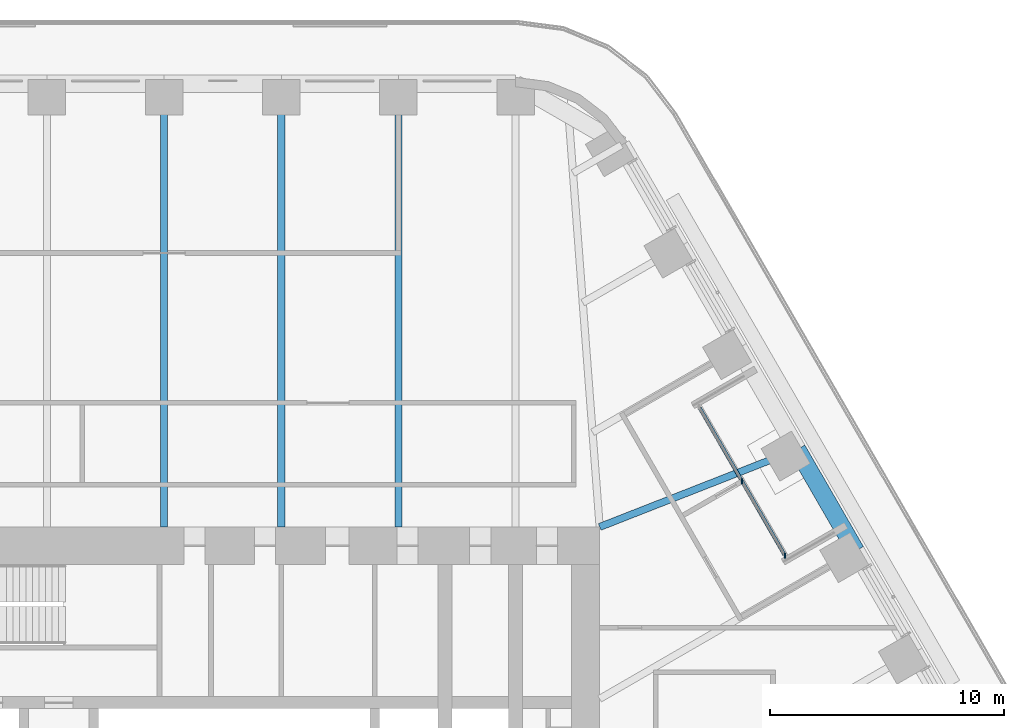
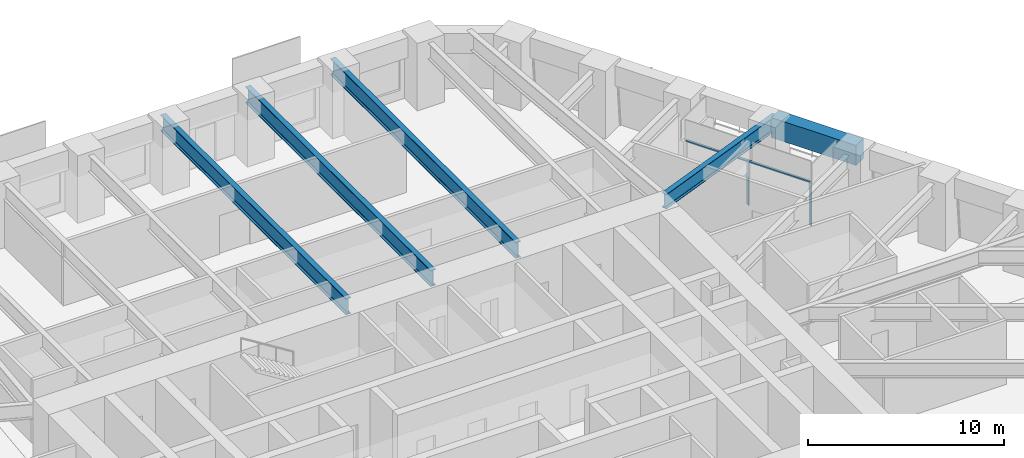
# One storey, part 11 of 24: 5 beams, 3 members, 1 element without a shape of its own.
"""IFC4 building model written with IfcOpenShell, lengths in metres."""

import ifcopenshell
import ifcopenshell.guid

model = None  # the IFC model being written
_history = None  # IfcOwnerHistory: only IFC2X3 demands one
_inside = {}  # id of a spatial element -> (the spatial element, [elements in it])
_under = {}  # id of a project, library or spatial element -> (it, [spatial elements below it])
_declared = {}  # id of a project -> (the project, [libraries it declares])
_typed = {}  # id of a type object -> (the type object, [elements of that type])
_made_of = {}  # id of a material, layer set ... -> (it, [elements and type objects made of it])


def new_model(schema):
    """Start an empty IFC model of exactly this schema.

    Asked for "IFC4X3", IfcOpenShell would pick the latest addendum, in which some entities
    have other attributes; the version numbers below select the first issue.
    IFC2X3 requires an IfcOwnerHistory on every rooted entity: one is made here for all.
    """
    global model, _history
    if schema == "IFC4X3":
        model = ifcopenshell.file(schema_version=(4, 3, 0, 0))
    else:
        model = ifcopenshell.file(schema=schema)
    _inside.clear()
    _under.clear()
    _declared.clear()
    _typed.clear()
    _made_of.clear()
    _history = None
    if model.schema == "IFC2X3":
        org = make("IfcOrganization", Name="unknown")
        user = make(
            "IfcPersonAndOrganization",
            ThePerson=make("IfcPerson", FamilyName="unknown"),
            TheOrganization=org,
        )
        app = make(
            "IfcApplication",
            ApplicationDeveloper=org,
            Version="unknown",
            ApplicationFullName="unknown",
            ApplicationIdentifier="unknown",
        )
        _history = make(
            "IfcOwnerHistory",
            OwningUser=user,
            OwningApplication=app,
            ChangeAction="ADDED",
            CreationDate=0,
        )
    return model


def make(cls, **values):
    """One entity of the class cls with the attributes given. An attribute that is None is left unset."""
    return model.create_entity(
        cls, **{name: value for name, value in values.items() if value is not None}
    )


def rooted(cls, **values):
    """An entity with a GlobalId (a new one), such as an element, a storey or a relation."""
    return make(cls, GlobalId=ifcopenshell.guid.new(), OwnerHistory=_history, **values)


def si_unit(unit_type, name, prefix=None):
    """IfcSIUnit, for example si_unit("LENGTHUNIT", "METRE", prefix="MILLI")."""
    return make("IfcSIUnit", UnitType=unit_type, Prefix=prefix, Name=name)


def assignment(units):
    """IfcUnitAssignment: the units of a project."""
    return None if units is None else make("IfcUnitAssignment", Units=units)


def point(xyz):
    """IfcCartesianPoint."""
    return None if xyz is None else make("IfcCartesianPoint", Coordinates=xyz)


def direction(xyz):
    """IfcDirection."""
    return None if xyz is None else make("IfcDirection", DirectionRatios=xyz)


def frame(location, z_axis=None, x_axis=None):
    """IfcAxis2Placement3D, a coordinate frame: its origin and axes. An axis left out is left unset."""
    return make(
        "IfcAxis2Placement3D",
        Location=point(location),
        Axis=direction(z_axis),
        RefDirection=direction(x_axis),
    )


def frame_2d(location, x_axis=None):
    """IfcAxis2Placement2D, a coordinate frame in the plane: its origin and x axis."""
    return make(
        "IfcAxis2Placement2D", Location=point(location), RefDirection=direction(x_axis)
    )


def origin():
    """The frame at (0, 0, 0) with its axes left unset."""
    return frame((0.0, 0.0, 0.0))


def origin_2d():
    """The frame at (0, 0) in the plane with its x axis left unset."""
    return frame_2d((0.0, 0.0))


def place(relative_to, where):
    """IfcLocalPlacement: puts the frame where relative to a parent placement (None: the world)."""
    return make(
        "IfcLocalPlacement", PlacementRelTo=relative_to, RelativePlacement=where
    )


def context(
    kind, dimensions, precision=None, world=None, true_north=None, identifier=None
):
    """IfcGeometricRepresentationContext, for example the 3D "Model" context."""
    return make(
        "IfcGeometricRepresentationContext",
        ContextIdentifier=identifier,
        ContextType=kind,
        CoordinateSpaceDimension=dimensions,
        Precision=precision,
        WorldCoordinateSystem=world,
        TrueNorth=true_north,
    )


def subcontext(parent, identifier, kind, view, scale=None):
    """IfcGeometricRepresentationSubContext, for example "Body" below "Model"."""
    return make(
        "IfcGeometricRepresentationSubContext",
        ContextIdentifier=identifier,
        ContextType=kind,
        ParentContext=parent,
        TargetScale=scale,
        TargetView=view,
    )


def project(units=None, contexts=None):
    """IfcProject with its units and contexts."""
    return rooted(
        "IfcProject",
        Name="project",
        RepresentationContexts=contexts,
        UnitsInContext=assignment(units),
    )


def spatial(cls, under=None, at=None, **own):
    """A site, building, storey or space (cls), placed at a placement, below another one or the project."""
    s = rooted(cls, ObjectPlacement=at, **own)
    if under is not None:
        _under.setdefault(under.id(), (under, []))[1].append(s)
    return s


def profile(cls, at=None, kind="AREA", **sizes):
    """A parametric profile (cls). Its sizes go by their IFC names, for example OverallWidth=200.0."""
    return make(cls, ProfileType=kind, Position=at, **sizes)


def rectangle(**sizes):
    """IfcRectangleProfileDef."""
    return profile("IfcRectangleProfileDef", **sizes)


def i_section(**sizes):
    """IfcIShapeProfileDef."""
    return profile("IfcIShapeProfileDef", **sizes)


def extrude(swept, where, along, depth):
    """IfcExtrudedAreaSolid: the profile swept, set in the frame where, extruded along a direction by depth."""
    return make(
        "IfcExtrudedAreaSolid",
        SweptArea=swept,
        Position=where,
        ExtrudedDirection=direction(along),
        Depth=depth,
    )


def shape(context_of_items, identifier, shape_type, items):
    """IfcShapeRepresentation: the items that make up one representation, for example the "Body"."""
    return make(
        "IfcShapeRepresentation",
        ContextOfItems=context_of_items,
        RepresentationIdentifier=identifier,
        RepresentationType=shape_type,
        Items=items,
    )


def material(Name=None, Category=None):
    """IfcMaterial."""
    return make("IfcMaterial", Name=Name, Category=Category)


def material_profile(
    of_material, cross_section, Name=None, Category=None, Priority=None
):
    """IfcMaterialProfile: a cross section and its material."""
    return make(
        "IfcMaterialProfile",
        Name=Name,
        Material=of_material,
        Profile=cross_section,
        Priority=Priority,
        Category=Category,
    )


def profile_set(profiles, Name=None, composite=None):
    """IfcMaterialProfileSet."""
    return make(
        "IfcMaterialProfileSet",
        Name=Name,
        MaterialProfiles=profiles,
        CompositeProfile=composite,
    )


def made_of(thing, what):
    """Note that an element or type object is made of a material, layer set ...; save() writes the relation."""
    if what is not None:
        _made_of.setdefault(what.id(), (what, []))[1].append(thing)
    return thing


def type_object(cls, material=None, **own):
    """A type object (cls), such as IfcWallType, which elements share."""
    return made_of(rooted(cls, **own), material)


def element(
    cls,
    number,
    at=None,
    inside=None,
    cuts=None,
    type_object=None,
    material=None,
    context=None,
    identifier="Body",
    shape_type=None,
    held_by="IfcProductDefinitionShape",
    body=None,
    shapes=None,
    **own,
):
    """One element of the class cls, such as IfcWall. Its Tag is "e" and its number.

    at: its placement. inside: the storey or other place that contains it. cuts: it is an
    opening in that element (IfcRelVoidsElement). A single representation is given by context,
    identifier, shape_type and body (its items); several are given by shapes. held_by: the class
    of the entity that holds the representations. save() writes the other relations.
    """
    e = rooted(cls, Tag="e%d" % number, ObjectPlacement=at, **own)
    if body is not None:
        shapes = [shape(context, identifier, shape_type, body)]
    if shapes is not None:
        e.Representation = make(held_by, Representations=shapes)
    if inside is not None:
        _inside.setdefault(inside.id(), (inside, []))[1].append(e)
    if cuts is not None:
        rooted(
            "IfcRelVoidsElement", RelatingBuildingElement=cuts, RelatedOpeningElement=e
        )
    if type_object is not None:
        _typed.setdefault(type_object.id(), (type_object, []))[1].append(e)
    return made_of(e, material)


def aggregate(whole, parts):
    """IfcRelAggregates: a whole, such as a stair, and the parts it consists of."""
    return rooted("IfcRelAggregates", RelatingObject=whole, RelatedObjects=parts)


def save(model, path):
    """Write the relations noted so far, then the file.

    IfcRelAggregates (storeys below a building ...), IfcRelContainedInSpatialStructure (elements
    in a storey), IfcRelDefinesByType, IfcRelAssociatesMaterial and IfcRelDeclares: one each for
    every whole, place, type object, material and project.
    """
    for whole, parts in _under.values():
        aggregate(whole, parts)
    for where, things in _inside.values():
        rooted(
            "IfcRelContainedInSpatialStructure",
            RelatedElements=things,
            RelatingStructure=where,
        )
    for kind, things in _typed.values():
        rooted("IfcRelDefinesByType", RelatedObjects=things, RelatingType=kind)
    for what, things in _made_of.values():
        rooted("IfcRelAssociatesMaterial", RelatedObjects=things, RelatingMaterial=what)
    for by, libraries in _declared.values():
        rooted("IfcRelDeclares", RelatingContext=by, RelatedDefinitions=libraries)
    model.write(path)


model = new_model("IFC4")

# Units and contexts
model_context = context("Model", 3, precision=1e-05, world=origin(), true_north=direction((0.0, 1.0)))
body_context = subcontext(model_context, "Body", "Model", "MODEL_VIEW")
ifc_project = project(units=[si_unit("LENGTHUNIT", "METRE"), si_unit("AREAUNIT", "SQUARE_METRE"), si_unit("VOLUMEUNIT", "CUBIC_METRE"), si_unit("PLANEANGLEUNIT", "RADIAN"), si_unit("MASSUNIT", "GRAM", prefix="KILO")], contexts=[model_context])

# Site, building, storey
site_placement = place(None, origin())
site = spatial("IfcSite", under=ifc_project, at=site_placement, CompositionType="ELEMENT")
building_placement = place(site_placement, origin())
building = spatial("IfcBuilding", under=site, at=building_placement, Name="Tarfa Lantern Tower", CompositionType="ELEMENT")
storey_placement = place(building_placement, frame((0.0, 0.0, 144.699951171875)))
storey = spatial("IfcBuildingStorey", under=building, at=storey_placement, Name="L32", CompositionType="ELEMENT", Elevation=144.699951171875)

# Curtain wall, members
ifc_material_1 = material(Name="Aluminium framed curtain wall", Category="aluminium")
curtain_wall_type = type_object("IfcCurtainWallType", Name="CW10 LOGGIA GLAZING 2750", PredefinedType="USERDEFINED", material=ifc_material_1)
curtain_wall_placement = place(storey_placement, origin())
curtain_wall = element("IfcCurtainWall", 1, at=curtain_wall_placement, inside=storey, type_object=curtain_wall_type, Name="CW10 NEL L32", ObjectType="CURTAIN WALL", PredefinedType="USERDEFINED")
ifc_material_2 = material(Name="Aluminium mullion", Category="aluminium")
ifc_material_profile_1 = material_profile(ifc_material_2, rectangle(XDim=0.06494140625, YDim=0.199951171875, at=origin_2d()), Name="AL MULLION 65x200")
ifc_profile_set_1 = profile_set([ifc_material_profile_1], Name="Aluminium mullion")
member_type_1 = type_object("IfcMemberType", Name="CWM1 MULLION 65x200", PredefinedType="MULLION", material=ifc_profile_set_1)
member_1_placement = place(storey_placement, frame((26.517333984375, 11.070556640625, 0.0), z_axis=(0.0, 0.0, 1.0), x_axis=(1.0, 0.0, 0.0)))
member_1 = element("IfcMember", 2, at=member_1_placement, type_object=member_type_1, Name="CW10 mullion 1", PredefinedType="MULLION", context=body_context, shape_type="SweptSolid", body=[
    extrude(rectangle(XDim=0.06494140625, YDim=0.199951171875, at=origin_2d()), origin(), (0.0, 0.0, 1.0), 2.75),
])
member_2_placement = place(storey_placement, frame((24.681640625, 14.25, 0.0), z_axis=(0.0, 0.0, 1.0), x_axis=(1.0, 0.0, 0.0)))
member_2 = element("IfcMember", 3, at=member_2_placement, type_object=member_type_1, Name="CW10 mullion 2", PredefinedType="MULLION", context=body_context, shape_type="SweptSolid", body=[
    extrude(rectangle(XDim=0.06494140625, YDim=0.199951171875, at=origin_2d()), origin(), (0.0, 0.0, 1.0), 2.75),
])
ifc_material_3 = material(Name="Aluminium transom", Category="aluminium")
ifc_material_profile_2 = material_profile(ifc_material_3, rectangle(XDim=0.14990234375, YDim=0.06494140625, at=origin_2d()), Name="AL TRANSOM 150x65")
ifc_profile_set_2 = profile_set([ifc_material_profile_2], Name="Aluminium transom")
member_type_2 = type_object("IfcMemberType", Name="CWT1 TRANSOM 150x65", PredefinedType="USERDEFINED", material=ifc_profile_set_2)
member_3_placement = place(storey_placement, frame((26.5009765625, 11.098876953125, 2.717529296875), z_axis=(-0.500007048974, 0.866021334019, 0.0), x_axis=(-0.866021334019, -0.500007048974, 0.0)))
member_3 = element("IfcMember", 4, at=member_3_placement, type_object=member_type_2, Name="CW10 transom 1.2", ObjectType="TRANSOM", PredefinedType="USERDEFINED", context=body_context, shape_type="SweptSolid", body=[
    extrude(rectangle(XDim=0.14990234375, YDim=0.06494140625, at=origin_2d()), origin(), (0.0, 0.0, 1.0), 7.27734375),
])
aggregate(curtain_wall, [member_1, member_2, member_3])

# Beams
ifc_material_4 = material(Name="Concrete C80/95", Category="concrete")
ifc_material_profile_3 = material_profile(ifc_material_4, rectangle(XDim=0.75, YDim=1.25, at=origin_2d()), Name="RC 750x1250")
ifc_profile_set_3 = profile_set([ifc_material_profile_3], Name="Concrete C80/95")
beam_type_1 = type_object("IfcBeamType", Name="EB2 RC 750x1250", PredefinedType="SPANDREL", material=ifc_profile_set_3)
beam_1_placement = place(storey_placement, frame((29.5390625, 11.276611328125, 3.375), z_axis=(-0.499964603504, 0.866045838996, 0.0), x_axis=(-0.866045838996, -0.499964603504, 0.0)))
element("IfcBeam", 5, at=beam_1_placement, inside=storey, type_object=beam_type_1, Name="Edge beam NE2", PredefinedType="SPANDREL", context=body_context, shape_type="SweptSolid", body=[
    extrude(rectangle(XDim=0.75, YDim=1.25, at=origin_2d()), origin(), (0.0, 0.0, 1.0), 5.003662109375),
])
ifc_material_5 = material(Name="Steel S460M", Category="steel")
ifc_material_profile_4 = material_profile(ifc_material_5, i_section(OverallWidth=0.302001953125, OverallDepth=1.008056640625, WebThickness=0.02099609375, FlangeThickness=0.0400390625, FilletRadius=0.030029296875, at=origin_2d()), Name="UB1016x305x349")
ifc_profile_set_4 = profile_set([ifc_material_profile_4], Name="Steel S460M")
beam_type_2 = type_object("IfcBeamType", Name="UB1016x305x349", PredefinedType="BEAM", material=ifc_profile_set_4)
for number, where, z_axis, x_axis, name in (
    (6, (10.00732421875, 31.219970703125, 3.49609375), (0.0, -1.0, 0.0), (1.0, 0.0, 0.0), "Floor beam N1"),
    (7, (5.003662109375, 31.219970703125, 3.49609375), (0.0, -1.0, 0.0), (1.0, 0.0, 0.0), "Floor beam N2"),
    (8, (0.0, 31.219970703125, 3.49609375), (0.0, -1.0, 0.0), (1.0, 0.0, 0.0), "Floor beam N3"),
):
    element("IfcBeam", number, at=place(storey_placement, frame(where, z_axis=z_axis, x_axis=x_axis)), inside=storey, type_object=beam_type_2, Name=name, PredefinedType="BEAM", context=body_context, shape_type="SweptSolid", body=[
        extrude(i_section(OverallWidth=0.302001953125, OverallDepth=1.008056640625, WebThickness=0.02099609375, FlangeThickness=0.0400390625, FilletRadius=0.030029296875, at=origin_2d()), origin(), (0.0, 0.0, 1.0), 18.919921875),
    ])
ifc_material_profile_5 = material_profile(ifc_material_5, i_section(OverallWidth=0.305419921875, OverallDepth=0.91845703125, WebThickness=0.017333984375, FlangeThickness=0.02783203125, FilletRadius=0.01904296875, at=origin_2d()), Name="UB914x305x253")
ifc_profile_set_5 = profile_set([ifc_material_profile_5], Name="Steel S460M")
beam_type_3 = type_object("IfcBeamType", Name="UB914x305x253", PredefinedType="BEAM", material=ifc_profile_set_5)
beam_2_placement = place(storey_placement, frame((27.037353515625, 15.610107421875, 3.540771484375), z_axis=(-0.930923282782, -0.365214788274, 0.0), x_axis=(0.365214788274, -0.930923282782, 0.0)))
element("IfcBeam", 9, at=beam_2_placement, inside=storey, type_object=beam_type_3, Name="Floor beam NE3", PredefinedType="BEAM", context=body_context, shape_type="SweptSolid", body=[
    extrude(i_section(OverallWidth=0.305419921875, OverallDepth=0.91845703125, WebThickness=0.017333984375, FlangeThickness=0.02783203125, FilletRadius=0.01904296875, at=origin_2d()), origin(), (0.0, 0.0, 1.0), 9.063232421875),
])

save(model, "model.ifc")
